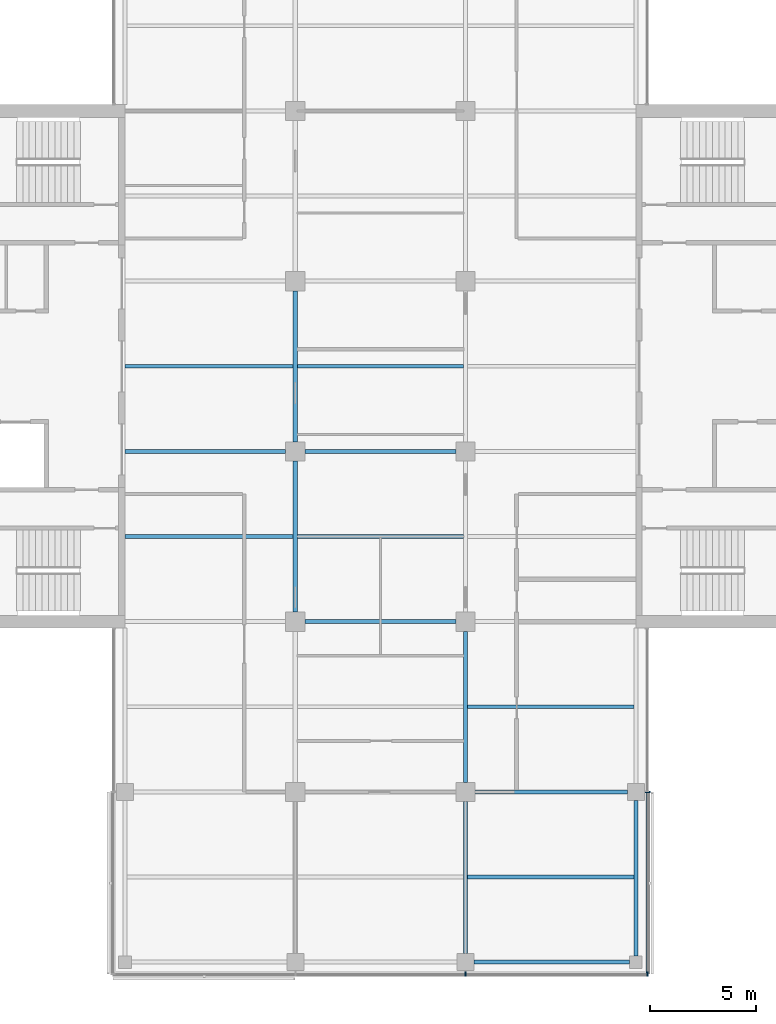
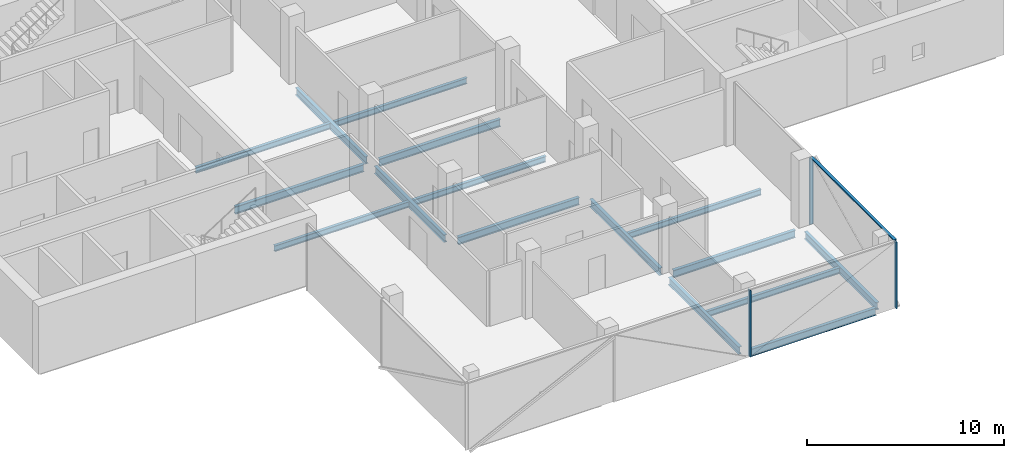
# One storey, part 3 of 15: 16 beams, 4 members, 2 elements without a shape of their own.
"""IFC4 building model written with IfcOpenShell, lengths in metres."""

from ifc_helpers import new_model, si_unit, direction, frame, origin, origin_2d, place, context, subcontext, project, spatial, rectangle, i_section, extrude, material, material_profile, profile_set, type_object, element, aggregate, save


model = new_model("IFC4")

# Units and contexts
model_context = context("Model", 3, precision=1e-05, world=origin(), true_north=direction((0.0, 1.0)))
body_context = subcontext(model_context, "Body", "Model", "MODEL_VIEW")
ifc_project = project(units=[si_unit("LENGTHUNIT", "METRE"), si_unit("AREAUNIT", "SQUARE_METRE"), si_unit("VOLUMEUNIT", "CUBIC_METRE"), si_unit("PLANEANGLEUNIT", "RADIAN"), si_unit("MASSUNIT", "GRAM", prefix="KILO")], contexts=[model_context])

# Site, building, storey
site_placement = place(None, origin())
site = spatial("IfcSite", under=ifc_project, at=site_placement, CompositionType="ELEMENT")
building_placement = place(site_placement, origin())
building = spatial("IfcBuilding", under=site, at=building_placement, Name="Crosswind Convention Tower", CompositionType="ELEMENT")
storey_placement = place(building_placement, frame((0.0, 0.0, 183.10009765625)))
storey = spatial("IfcBuildingStorey", under=building, at=storey_placement, Name="L38", CompositionType="ELEMENT", Elevation=183.10009765625)

# Beams
ifc_material_1 = material(Name="Steel S355", Category="steel")
ifc_material_profile_1 = material_profile(ifc_material_1, i_section(OverallWidth=0.18994140625, OverallDepth=0.45361328125, WebThickness=0.008544921875, FlangeThickness=0.0126953125, FilletRadius=0.01025390625, at=origin_2d()), Name="UB 457x191x67")
ifc_profile_set_1 = profile_set([ifc_material_profile_1], Name="Steel S355")
beam_type_1 = type_object("IfcBeamType", Name="Edge beam UB 457x191x67", PredefinedType="SPANDREL", material=ifc_profile_set_1)
for number, where, z_axis, x_axis, name in (
    (1, (129.39990234375, 72.0, -0.52685546875), (1.0, 0.0, 0.0), (0.0, 1.0, 0.0), "B16 L38 edge beam 9"),
    (2, (137.0, 72.300048828125, -0.52685546875), (0.0, 1.0, 0.0), (-1.0, 0.0, 0.0), "B16 L38 edge beam 11"),
):
    element("IfcBeam", number, at=place(storey_placement, frame(where, z_axis=z_axis, x_axis=x_axis)), inside=storey, type_object=beam_type_1, Name=name, PredefinedType="SPANDREL", context=body_context, shape_type="SweptSolid", body=[
        extrude(i_section(OverallWidth=0.18994140625, OverallDepth=0.45361328125, WebThickness=0.008544921875, FlangeThickness=0.0126953125, FilletRadius=0.01025390625, at=origin_2d()), origin(), (0.0, 0.0, 1.0), 7.300048828125),
    ])
ifc_material_profile_2 = material_profile(ifc_material_1, i_section(OverallWidth=0.1904296875, OverallDepth=0.457275390625, WebThickness=0.009033203125, FlangeThickness=0.014404296875, FilletRadius=0.01025390625, at=origin_2d()), Name="UB 457x191x75")
ifc_profile_set_2 = profile_set([ifc_material_profile_2], Name="Steel S355")
beam_type_2 = type_object("IfcBeamType", Name="Girder UB 457x191x75", PredefinedType="BEAM", material=ifc_profile_set_2)
for number, where, z_axis, x_axis, name in (
    (3, (121.0, 88.449951171875, -0.52880859375), (0.0, 1.0, 0.0), (-1.0, 0.0, 0.0), "B2 L38 girder 5"),
    (4, (121.0, 96.449951171875, -0.52880859375), (0.0, 1.0, 0.0), (-1.0, 0.0, 0.0), "B2 L38 girder 6"),
    (5, (121.449951171875, 88.0, -0.52880859375), (1.0, 0.0, 0.0), (0.0, 1.0, 0.0), "B2 L38 girder 11"),
    (6, (121.449951171875, 96.0, -0.52880859375), (1.0, 0.0, 0.0), (0.0, 1.0, 0.0), "B2 L38 girder 12"),
):
    element("IfcBeam", number, at=place(storey_placement, frame(where, z_axis=z_axis, x_axis=x_axis)), inside=storey, type_object=beam_type_2, Name=name, PredefinedType="BEAM", context=body_context, shape_type="SweptSolid", body=[
        extrude(i_section(OverallWidth=0.1904296875, OverallDepth=0.457275390625, WebThickness=0.009033203125, FlangeThickness=0.014404296875, FilletRadius=0.01025390625, at=origin_2d()), origin(), (0.0, 0.0, 1.0), 7.10009765625),
    ])
beam_1_placement = place(storey_placement, frame((129.0, 72.39990234375, -0.52880859375), z_axis=(0.0, 1.0, 0.0), x_axis=(-1.0, 0.0, 0.0)))
element("IfcBeam", 7, at=beam_1_placement, inside=storey, type_object=beam_type_2, Name="B2 L38 girder 16", PredefinedType="BEAM", context=body_context, shape_type="SweptSolid", body=[
    extrude(i_section(OverallWidth=0.1904296875, OverallDepth=0.457275390625, WebThickness=0.009033203125, FlangeThickness=0.014404296875, FilletRadius=0.01025390625, at=origin_2d()), origin(), (0.0, 0.0, 1.0), 7.150146484375),
])
beam_2_placement = place(storey_placement, frame((129.0, 80.449951171875, -0.52880859375), z_axis=(0.0, 1.0, 0.0), x_axis=(-1.0, 0.0, 0.0)))
element("IfcBeam", 8, at=beam_2_placement, inside=storey, type_object=beam_type_2, Name="B2 L38 girder 17", PredefinedType="BEAM", context=body_context, shape_type="SweptSolid", body=[
    extrude(i_section(OverallWidth=0.1904296875, OverallDepth=0.457275390625, WebThickness=0.009033203125, FlangeThickness=0.014404296875, FilletRadius=0.01025390625, at=origin_2d()), origin(), (0.0, 0.0, 1.0), 7.10009765625),
])
beam_3_placement = place(storey_placement, frame((129.449951171875, 80.0, -0.52880859375), z_axis=(1.0, 0.0, 0.0), x_axis=(0.0, 1.0, 0.0)))
element("IfcBeam", 9, at=beam_3_placement, inside=storey, type_object=beam_type_2, Name="B2 L38 girder 23", PredefinedType="BEAM", context=body_context, shape_type="SweptSolid", body=[
    extrude(i_section(OverallWidth=0.1904296875, OverallDepth=0.457275390625, WebThickness=0.009033203125, FlangeThickness=0.014404296875, FilletRadius=0.01025390625, at=origin_2d()), origin(), (0.0, 0.0, 1.0), 7.150146484375),
])
ifc_material_profile_3 = material_profile(ifc_material_1, i_section(OverallWidth=0.19140625, OverallDepth=0.460205078125, WebThickness=0.010009765625, FlangeThickness=0.01611328125, FilletRadius=0.01025390625, at=origin_2d()), Name="UB 457x191x82")
ifc_profile_set_3 = profile_set([ifc_material_profile_3], Name="Steel S355")
beam_type_3 = type_object("IfcBeamType", Name="Girder at core wall UB 457x191x82", PredefinedType="BEAM", material=ifc_profile_set_3)
beam_4_placement = place(storey_placement, frame((113.0, 96.0, -0.5302734375), z_axis=(1.0, 0.0, 0.0), x_axis=(0.0, 1.0, 0.0)))
element("IfcBeam", 10, at=beam_4_placement, inside=storey, type_object=beam_type_3, Name="B23 L38 girder at core wall 2", PredefinedType="BEAM", context=body_context, shape_type="SweptSolid", body=[
    extrude(i_section(OverallWidth=0.19140625, OverallDepth=0.460205078125, WebThickness=0.010009765625, FlangeThickness=0.01611328125, FilletRadius=0.01025390625, at=origin_2d()), origin(), (0.0, 0.0, 1.0), 7.550048828125),
])

# Curtain wall, members
ifc_material_2 = material(Name="Aluminium unitised curtain wall", Category="aluminium")
curtain_wall_type = type_object("IfcCurtainWallType", Name="OFFICE UNITISED WALL 220", PredefinedType="USERDEFINED", material=ifc_material_2)
curtain_wall_1_placement = place(storey_placement, origin())
curtain_wall_1 = element("IfcCurtainWall", 11, at=curtain_wall_1_placement, inside=storey, type_object=curtain_wall_type, Name="CW3 L38 S-TIP 1", ObjectType="UNITISED", PredefinedType="USERDEFINED")
ifc_material_3 = material(Name="Aluminium mullion", Category="aluminium")
ifc_material_profile_4 = material_profile(ifc_material_3, rectangle(XDim=0.219970703125, YDim=0.070068359375, at=origin_2d()), Name="AL 220X70")
ifc_profile_set_4 = profile_set([ifc_material_profile_4], Name="Aluminium mullion")
member_type_1 = type_object("IfcMemberType", Name="MULLION 70X220", PredefinedType="MULLION", material=ifc_profile_set_4)
member_1_placement = place(storey_placement, frame((129.0, 71.43994140625, -0.300048828125), z_axis=(0.0, 0.0, 1.0), x_axis=(0.0, -1.0, 0.0)))
member_1 = element("IfcMember", 12, at=member_1_placement, type_object=member_type_1, Name="CW3 mullion 3", PredefinedType="MULLION", context=body_context, shape_type="SweptSolid", body=[
    extrude(rectangle(XDim=0.219970703125, YDim=0.070068359375, at=origin_2d()), origin(), (0.0, 0.0, 1.0), 4.1298828125),
])
member_2_placement = place(storey_placement, frame((137.56005859375, 71.43994140625, -0.300048828125), z_axis=(0.0, 0.0, 1.0), x_axis=(0.0, -1.0, 0.0)))
member_2 = element("IfcMember", 13, at=member_2_placement, type_object=member_type_1, Name="CW3 mullion 4", PredefinedType="MULLION", context=body_context, shape_type="SweptSolid", body=[
    extrude(rectangle(XDim=0.219970703125, YDim=0.070068359375, at=origin_2d()), origin(), (0.0, 0.0, 1.0), 4.1298828125),
])
aggregate(curtain_wall_1, [member_1, member_2])

# Curtain wall, member
curtain_wall_2_placement = place(storey_placement, origin())
curtain_wall_2 = element("IfcCurtainWall", 14, at=curtain_wall_2_placement, inside=storey, type_object=curtain_wall_type, Name="CW3 L38 S-E 1", ObjectType="UNITISED", PredefinedType="USERDEFINED")
member_3_placement = place(storey_placement, frame((137.56005859375, 80.0, -0.300048828125), z_axis=(0.0, 0.0, 1.0), x_axis=(1.0, 0.0, 0.0)))
member_3 = element("IfcMember", 15, at=member_3_placement, type_object=member_type_1, Name="CW3 mullion 2", PredefinedType="MULLION", context=body_context, shape_type="SweptSolid", body=[
    extrude(rectangle(XDim=0.219970703125, YDim=0.070068359375, at=origin_2d()), origin(), (0.0, 0.0, 1.0), 4.1298828125),
])

# Beams
ifc_material_profile_5 = material_profile(ifc_material_1, i_section(OverallWidth=0.172119140625, OverallDepth=0.358642578125, WebThickness=0.008056640625, FlangeThickness=0.012939453125, FilletRadius=0.01025390625, at=origin_2d()), Name="UB 356x171x57")
ifc_profile_set_5 = profile_set([ifc_material_profile_5], Name="Steel S355")
beam_type_4 = type_object("IfcBeamType", Name="Secondary beam UB 356x171x57", PredefinedType="JOIST", material=ifc_profile_set_5)
for number, where, z_axis, x_axis, name in (
    (16, (113.0, 92.0, -0.4794921875), (1.0, 0.0, 0.0), (0.0, 1.0, 0.0), "B9 L38 secondary beam 1"),
    (17, (113.0, 100.0, -0.4794921875), (1.0, 0.0, 0.0), (0.0, 1.0, 0.0), "B9 L38 secondary beam 2"),
):
    element("IfcBeam", number, at=place(storey_placement, frame(where, z_axis=z_axis, x_axis=x_axis)), inside=storey, type_object=beam_type_4, Name=name, PredefinedType="JOIST", context=body_context, shape_type="SweptSolid", body=[
        extrude(i_section(OverallWidth=0.172119140625, OverallDepth=0.358642578125, WebThickness=0.008056640625, FlangeThickness=0.012939453125, FilletRadius=0.01025390625, at=origin_2d()), origin(), (0.0, 0.0, 1.0), 7.90478515625),
    ])
for number, where, z_axis, x_axis, name in (
    (18, (121.09521484375, 92.0, -0.4794921875), (1.0, 0.0, 0.0), (0.0, 1.0, 0.0), "B9 L38 secondary beam 10"),
    (19, (121.09521484375, 100.0, -0.4794921875), (1.0, 0.0, 0.0), (0.0, 1.0, 0.0), "B9 L38 secondary beam 11"),
):
    element("IfcBeam", number, at=place(storey_placement, frame(where, z_axis=z_axis, x_axis=x_axis)), inside=storey, type_object=beam_type_4, Name=name, PredefinedType="JOIST", context=body_context, shape_type="SweptSolid", body=[
        extrude(i_section(OverallWidth=0.172119140625, OverallDepth=0.358642578125, WebThickness=0.008056640625, FlangeThickness=0.012939453125, FilletRadius=0.01025390625, at=origin_2d()), origin(), (0.0, 0.0, 1.0), 7.8095703125),
    ])
for number, where, z_axis, x_axis, name in (
    (20, (129.09521484375, 76.0, -0.4794921875), (1.0, 0.0, 0.0), (0.0, 1.0, 0.0), "B9 L38 secondary beam 15"),
    (21, (129.09521484375, 84.0, -0.4794921875), (1.0, 0.0, 0.0), (0.0, 1.0, 0.0), "B9 L38 secondary beam 16"),
):
    element("IfcBeam", number, at=place(storey_placement, frame(where, z_axis=z_axis, x_axis=x_axis)), inside=storey, type_object=beam_type_4, Name=name, PredefinedType="JOIST", context=body_context, shape_type="SweptSolid", body=[
        extrude(i_section(OverallWidth=0.172119140625, OverallDepth=0.358642578125, WebThickness=0.008056640625, FlangeThickness=0.012939453125, FilletRadius=0.01025390625, at=origin_2d()), origin(), (0.0, 0.0, 1.0), 7.809814453125),
    ])

# Member
ifc_material_4 = material(Name="Aluminium transom", Category="aluminium")
ifc_material_profile_6 = material_profile(ifc_material_4, rectangle(XDim=0.159912109375, YDim=0.070068359375, at=origin_2d()), Name="AL 160X70")
ifc_profile_set_6 = profile_set([ifc_material_profile_6], Name="Aluminium transom")
member_type_2 = type_object("IfcMemberType", Name="TRANSOM 70X160", PredefinedType="USERDEFINED", material=ifc_profile_set_6)
member_4_placement = place(storey_placement, frame((137.56005859375, 71.47509765625, 3.864990234375), z_axis=(0.0, 1.0, 0.0), x_axis=(-1.0, 0.0, 0.0)))
member_4 = element("IfcMember", 22, at=member_4_placement, type_object=member_type_2, Name="CW3 transom", ObjectType="TRANSOM", PredefinedType="USERDEFINED", context=body_context, shape_type="SweptSolid", body=[
    extrude(rectangle(XDim=0.159912109375, YDim=0.070068359375, at=origin_2d()), origin(), (0.0, 0.0, 1.0), 8.489990234375),
])

aggregate(curtain_wall_2, [member_3, member_4])

save(model, "model.ifc")
